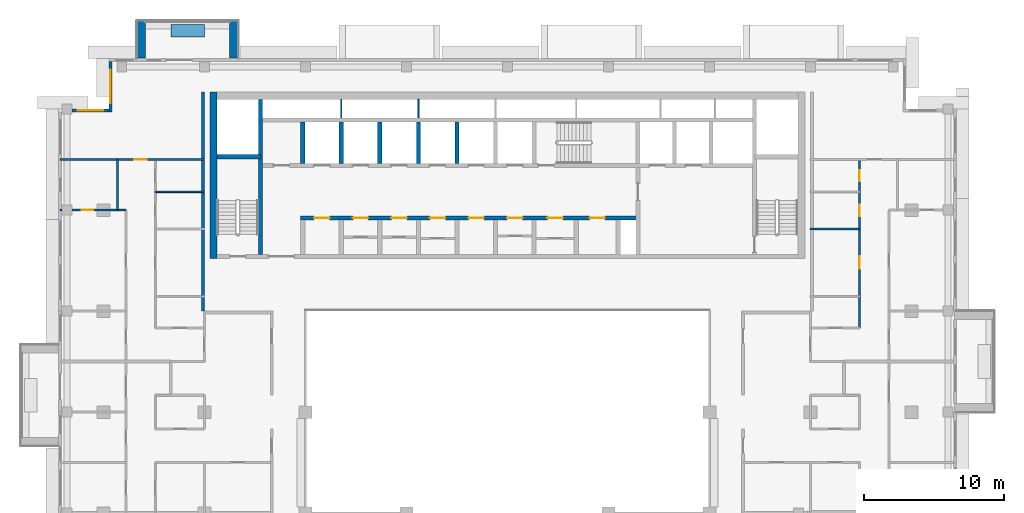
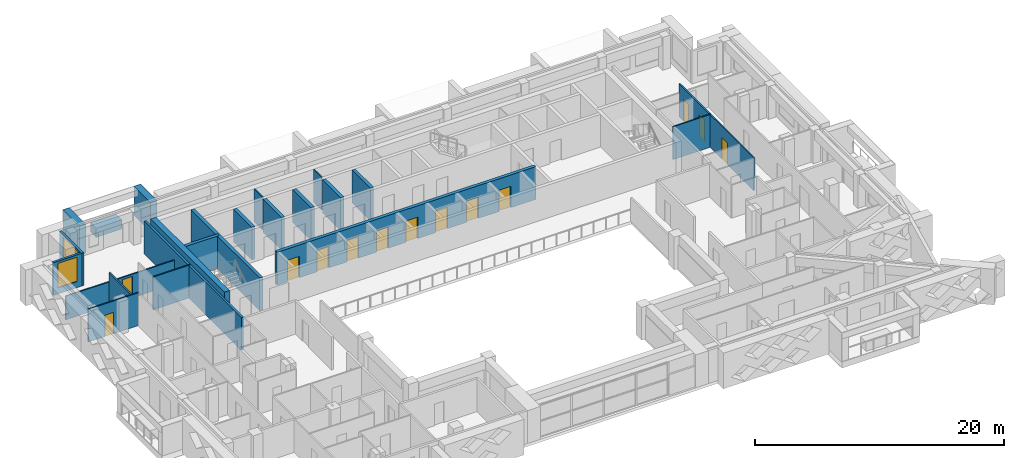
# One storey, part 10 of 19: 23 walls, 13 doors, 2 windows, 15 openings.
"""IFC4 building model written with IfcOpenShell, lengths in metres."""

from ifc_helpers import new_model, si_unit, direction, frame, frame_2d, origin, place, context, subcontext, project, spatial, rectangle, extrude, material, layer, layer_set, type_object, element, fill, save


model = new_model("IFC4")

# Units and contexts
model_context = context("Model", 3, precision=1e-05, world=origin(), true_north=direction((0.0, 1.0)))
body_context = subcontext(model_context, "Body", "Model", "MODEL_VIEW")
ifc_project = project(units=[si_unit("LENGTHUNIT", "METRE"), si_unit("AREAUNIT", "SQUARE_METRE"), si_unit("VOLUMEUNIT", "CUBIC_METRE"), si_unit("PLANEANGLEUNIT", "RADIAN"), si_unit("MASSUNIT", "GRAM", prefix="KILO")], contexts=[model_context])

# Site, building, storey
site_placement = place(None, origin())
site = spatial("IfcSite", under=ifc_project, at=site_placement, CompositionType="ELEMENT")
building_placement = place(site_placement, origin())
building = spatial("IfcBuilding", under=site, at=building_placement, Name="Saffron Iwan Residences", CompositionType="ELEMENT")
storey_placement = place(building_placement, frame((0.0, 0.0, 218.5)))
storey = spatial("IfcBuildingStorey", under=building, at=storey_placement, Name="L58", CompositionType="ELEMENT", Elevation=218.5)

# Walls
ifc_material_1 = material(Name="Concrete C50/60 white painted", Category="concrete")
ifc_layer_1 = layer(ifc_material_1, 0.60009765625)
ifc_layer_set_1 = layer_set([ifc_layer_1], Name="Concrete C50/60 white painted")
wall_type_1 = type_object("IfcWallType", Name="BALCONY FIN 600", PredefinedType="SOLIDWALL", material=ifc_layer_set_1)
for number, where, z_axis, x_axis, name in (
    (1, (30.89990234375, 80.449951171875, 0.0), (0.0, 0.0, 1.0), (0.0, 1.0, 0.0), "Balcony fin L58 F5-3a"),
    (2, (24.300048828125, 80.449951171875, 0.0), (0.0, 0.0, 1.0), (0.0, 1.0, 0.0), "Balcony fin L58 F5-3b"),
):
    element("IfcWall", number, at=place(storey_placement, frame(where, z_axis=z_axis, x_axis=x_axis)), inside=storey, type_object=wall_type_1, Name=name, PredefinedType="SOLIDWALL", context=body_context, shape_type="SweptSolid", body=[
        extrude(rectangle(XDim=2.650146484375, YDim=0.60009765625, at=frame_2d((1.3251953125, 0.0))), origin(), (0.0, 0.0, 1.0), 2.85009765625),
    ])
ifc_material_2 = material(Name="Concrete C35/45 white painted", Category="concrete")
ifc_layer_2 = layer(ifc_material_2, 0.14990234375)
ifc_layer_set_2 = layer_set([ifc_layer_2], Name="Concrete C35/45 white painted")
wall_type_2 = type_object("IfcWallType", Name="BALCONY PLANTER", PredefinedType="SOLIDWALL", material=ifc_layer_set_2)
wall_1_placement = place(storey_placement, frame((28.800048828125, 82.375, 0.0), z_axis=(0.0, 0.0, 1.0), x_axis=(-1.0, 0.0, 0.0)))
element("IfcWall", 3, at=wall_1_placement, inside=storey, type_object=wall_type_2, Name="PLANTER L58 F5-3", PredefinedType="SOLIDWALL", context=body_context, shape_type="SweptSolid", body=[
    extrude(rectangle(XDim=2.400146484375, YDim=0.89990234375, at=frame_2d((1.2001953125, 0.0))), origin(), (0.0, 0.0, 1.0), 0.89990234375),
])

# Wall, opening, window
ifc_material_3 = material(Name="Concrete C40/50", Category="concrete")
ifc_layer_3 = layer(ifc_material_3, 0.199951171875)
ifc_layer_set_3 = layer_set([ifc_layer_3], Name="Concrete C40/50")
wall_type_3 = type_object("IfcWallType", Name="EXTERNAL WALL 200", PredefinedType="SOLIDWALL", material=ifc_layer_set_3)
wall_2_placement = place(storey_placement, frame((22.10009765625, 80.199951171875, 0.0), z_axis=(0.0, 0.0, 1.0), x_axis=(0.0, -1.0, 0.0)))
wall_2 = element("IfcWall", 4, at=wall_2_placement, inside=storey, type_object=wall_type_3, Name="External wall L58 F6.0", PredefinedType="SOLIDWALL", context=body_context, shape_type="SweptSolid", body=[
    extrude(rectangle(XDim=3.599853515625, YDim=0.199951171875, at=frame_2d((1.7998046875, 0.0))), origin(), (0.0, 0.0, 1.0), 3.219970703125),
])
opening_1_placement = place(wall_2_placement, frame((0.60009765625, 0.0, 0.60009765625)))
opening_1 = element("IfcOpeningElement", 5, at=opening_1_placement, cuts=wall_2, Name="Opening W1", PredefinedType="OPENING", context=body_context, shape_type="SweptSolid", body=[
    extrude(rectangle(XDim=2.39990234375, YDim=2.39990234375, at=frame_2d((1.199951171875, 1.199951171875))), frame((0.0, 0.10986328125, 0.0), z_axis=(0.0, -1.0, 0.0), x_axis=(1.0, 0.0, 0.0)), (0.0, 0.0, 1.0), 0.219970703125),
])
ifc_material_4 = material(Name="Clear glass, laminated double glazed", Category="glass")
window_type_1 = type_object("IfcWindowType", Name="WINDOW 2400 x 2400", PartitioningType="DOUBLE_PANEL_VERTICAL", PredefinedType="WINDOW", material=ifc_material_4)
window_1_placement = place(opening_1_placement, origin())
window_1 = element("IfcWindow", 6, at=window_1_placement, inside=storey, type_object=window_type_1, Name="Window L58 F6.0", OverallHeight=2.39990234375, OverallWidth=2.39990234375, PartitioningType="DOUBLE_PANEL_VERTICAL", PredefinedType="WINDOW", context=body_context, shape_type="SweptSolid", body=[
    extrude(rectangle(XDim=2.39990234375, YDim=2.39990234375, at=frame_2d((1.199951171875, 1.199951171875))), frame((0.0, 0.030029296875, 0.0), z_axis=(0.0, -1.0, 0.0), x_axis=(1.0, 0.0, 0.0)), (0.0, 0.0, 1.0), 0.06005859375),
])
fill(opening_1, window_1)

wall_3_placement = place(storey_placement, frame((22.0, 76.699951171875, 0.0), z_axis=(0.0, 0.0, 1.0), x_axis=(-1.0, 0.0, 0.0)))
wall_3 = element("IfcWall", 7, at=wall_3_placement, inside=storey, type_object=wall_type_3, Name="External wall L58 F7.0", PredefinedType="SOLIDWALL", context=body_context, shape_type="SweptSolid", body=[
    extrude(rectangle(XDim=2.64990234375, YDim=0.199951171875, at=frame_2d((1.324951171875, 0.0))), origin(), (0.0, 0.0, 1.0), 3.219970703125),
])
opening_2_placement = place(wall_3_placement, frame((0.425048828125, 0.0, 0.60009765625)))
opening_2 = element("IfcOpeningElement", 8, at=opening_2_placement, cuts=wall_3, Name="Opening W8", PredefinedType="OPENING", context=body_context, shape_type="SweptSolid", body=[
    extrude(rectangle(XDim=1.800048828125, YDim=2.39990234375, at=frame_2d((0.89990234375, 1.199951171875))), frame((0.0, 0.10986328125, 0.0), z_axis=(0.0, -1.0, 0.0), x_axis=(1.0, 0.0, 0.0)), (0.0, 0.0, 1.0), 0.219970703125),
])
window_type_2 = type_object("IfcWindowType", Name="WINDOW 1800 x 2400", PartitioningType="DOUBLE_PANEL_VERTICAL", PredefinedType="WINDOW", material=ifc_material_4)
window_2_placement = place(opening_2_placement, origin())
window_2 = element("IfcWindow", 9, at=window_2_placement, inside=storey, type_object=window_type_2, Name="Window L58 F7.0", OverallHeight=2.39990234375, OverallWidth=1.800048828125, PartitioningType="DOUBLE_PANEL_VERTICAL", PredefinedType="WINDOW", context=body_context, shape_type="SweptSolid", body=[
    extrude(rectangle(XDim=1.800048828125, YDim=2.39990234375, at=frame_2d((0.89990234375, 1.199951171875))), frame((0.0, 0.030029296875, 0.0), z_axis=(0.0, -1.0, 0.0), x_axis=(1.0, 0.0, 0.0)), (0.0, 0.0, 1.0), 0.06005859375),
])
fill(opening_2, window_2)

# Wall
ifc_material_5 = material(Name="Gypsum board partition")
ifc_layer_4 = layer(ifc_material_5, 0.1201171875)
ifc_layer_set_4 = layer_set([ifc_layer_4], Name="Gypsum board partition")
wall_type_4 = type_object("IfcWallType", Name="Flat partition 120", PredefinedType="PARTITIONING", material=ifc_layer_set_4)
wall_4_placement = place(storey_placement, frame((72.0, 68.25, 0.0), z_axis=(0.0, 0.0, 1.0), x_axis=(1.0, 0.0, 0.0)))
element("IfcWall", 10, at=wall_4_placement, inside=storey, type_object=wall_type_4, Name="W-L58-PART-h68.25-72", PredefinedType="PARTITIONING", context=body_context, shape_type="SweptSolid", body=[
    extrude(rectangle(XDim=3.5, YDim=0.1201171875, at=frame_2d((1.75, 0.0))), origin(), (0.0, 0.0, 1.0), 3.219970703125),
])

# Wall, opening, door
wall_5_placement = place(storey_placement, frame((18.52490234375, 69.60009765625, 0.0), z_axis=(0.0, 0.0, 1.0), x_axis=(1.0, 0.0, 0.0)))
wall_5 = element("IfcWall", 11, at=wall_5_placement, inside=storey, type_object=wall_type_4, Name="W-L58-PART-h69.6-18.525", PredefinedType="PARTITIONING", context=body_context, shape_type="SweptSolid", body=[
    extrude(rectangle(XDim=4.675048828125, YDim=0.1201171875, at=frame_2d((2.33740234375, 0.0))), origin(), (0.0, 0.0, 1.0), 3.219970703125),
])
opening_3_placement = place(wall_5_placement, frame((1.53759765625, 0.0, 0.0)))
opening_3 = element("IfcOpeningElement", 12, at=opening_3_placement, cuts=wall_5, Name="Opening FD3", PredefinedType="OPENING", context=body_context, shape_type="SweptSolid", body=[
    extrude(rectangle(XDim=0.800048828125, YDim=2.10009765625, at=frame_2d((0.39990234375, 1.050048828125))), frame((0.0, 0.070068359375, 0.0), z_axis=(0.0, -1.0, 0.0), x_axis=(1.0, 0.0, 0.0)), (0.0, 0.0, 1.0), 0.14013671875),
])
ifc_material_6 = material(Name="Timber door", Category="wood")
door_type_1 = type_object("IfcDoorType", Name="Bathroom door 800", OperationType="NOTDEFINED", PredefinedType="DOOR", material=ifc_material_6)
door_1_placement = place(opening_3_placement, origin())
door_1 = element("IfcDoor", 13, at=door_1_placement, inside=storey, type_object=door_type_1, Name="Door L58-024", OperationType="SINGLE_SWING_LEFT", OverallHeight=2.10009765625, OverallWidth=0.800048828125, PredefinedType="DOOR", context=body_context, shape_type="SweptSolid", body=[
    extrude(rectangle(XDim=0.800048828125, YDim=2.10009765625, at=frame_2d((0.39990234375, 1.050048828125))), frame((0.0, 0.02490234375, 0.0), z_axis=(0.0, -1.0, 0.0), x_axis=(1.0, 0.0, 0.0)), (0.0, 0.0, 1.0), 0.050048828125),
])
fill(opening_3, door_1)

# Wall
wall_6_placement = place(storey_placement, frame((25.300048828125, 70.89990234375, 0.0), z_axis=(0.0, 0.0, 1.0), x_axis=(1.0, 0.0, 0.0)))
element("IfcWall", 14, at=wall_6_placement, inside=storey, type_object=wall_type_4, Name="W-L58-PART-h70.9-25.3", PredefinedType="PARTITIONING", context=body_context, shape_type="SweptSolid", body=[
    extrude(rectangle(XDim=3.5, YDim=0.1201171875, at=frame_2d((1.75, 0.0))), origin(), (0.0, 0.0, 1.0), 3.219970703125),
])

# Wall, opening, door
wall_7_placement = place(storey_placement, frame((18.52490234375, 73.199951171875, 0.0), z_axis=(0.0, 0.0, 1.0), x_axis=(1.0, 0.0, 0.0)))
wall_7 = element("IfcWall", 15, at=wall_7_placement, inside=storey, type_object=wall_type_4, Name="W-L58-PART-h73.2-18.525", PredefinedType="PARTITIONING", context=body_context, shape_type="SweptSolid", body=[
    extrude(rectangle(XDim=10.275146484375, YDim=0.1201171875, at=frame_2d((5.1376953125, 0.0))), origin(), (0.0, 0.0, 1.0), 2.320068359375),
])
opening_4_placement = place(wall_7_placement, frame((5.27490234375, 0.0, 0.0)))
opening_4 = element("IfcOpeningElement", 16, at=opening_4_placement, cuts=wall_7, Name="Opening FD2", PredefinedType="OPENING", context=body_context, shape_type="SweptSolid", body=[
    extrude(rectangle(XDim=0.89990234375, YDim=2.10009765625, at=frame_2d((0.449951171875, 1.050048828125))), frame((0.0, 0.070068359375, 0.0), z_axis=(0.0, -1.0, 0.0), x_axis=(1.0, 0.0, 0.0)), (0.0, 0.0, 1.0), 0.14013671875),
])
door_type_2 = type_object("IfcDoorType", Name="Flat door 900", OperationType="NOTDEFINED", PredefinedType="DOOR", material=ifc_material_6)
door_2_placement = place(opening_4_placement, origin())
door_2 = element("IfcDoor", 17, at=door_2_placement, inside=storey, type_object=door_type_2, Name="Door L58-025", OperationType="SINGLE_SWING_LEFT", OverallHeight=2.10009765625, OverallWidth=0.89990234375, PredefinedType="DOOR", context=body_context, shape_type="SweptSolid", body=[
    extrude(rectangle(XDim=0.89990234375, YDim=2.10009765625, at=frame_2d((0.449951171875, 1.050048828125))), frame((0.0, 0.02490234375, 0.0), z_axis=(0.0, -1.0, 0.0), x_axis=(1.0, 0.0, 0.0)), (0.0, 0.0, 1.0), 0.050048828125),
])
fill(opening_4, door_2)

# Wall
wall_8_placement = place(storey_placement, frame((22.60009765625, 69.60009765625, 0.0), z_axis=(0.0, 0.0, 1.0), x_axis=(0.0, 1.0, 0.0)))
element("IfcWall", 18, at=wall_8_placement, inside=storey, type_object=wall_type_4, Name="W-L58-PART-v22.6-69.6", PredefinedType="PARTITIONING", context=body_context, shape_type="SweptSolid", body=[
    extrude(rectangle(XDim=3.599853515625, YDim=0.1201171875, at=frame_2d((1.7998046875, 0.0))), origin(), (0.0, 0.0, 1.0), 3.219970703125),
])

# Wall, openings, doors
wall_9_placement = place(storey_placement, frame((75.5, 61.199951171875, 0.0), z_axis=(0.0, 0.0, 1.0), x_axis=(0.0, 1.0, 0.0)))
wall_9 = element("IfcWall", 19, at=wall_9_placement, inside=storey, type_object=wall_type_4, Name="W-L58-PART-v75.5-61.2", PredefinedType="PARTITIONING", context=body_context, shape_type="SweptSolid", body=[
    extrude(rectangle(XDim=12.0, YDim=0.1201171875, at=frame_2d((6.0, 0.0))), origin(), (0.0, 0.0, 1.0), 3.219970703125),
])
opening_5_placement = place(wall_9_placement, frame((4.199951171875, 0.0, 0.0)))
opening_5 = element("IfcOpeningElement", 20, at=opening_5_placement, cuts=wall_9, Name="Opening FD2", PredefinedType="OPENING", context=body_context, shape_type="SweptSolid", body=[
    extrude(rectangle(XDim=0.89990234375, YDim=2.10009765625, at=frame_2d((0.449951171875, 1.050048828125))), frame((0.0, 0.070068359375, 0.0), z_axis=(0.0, -1.0, 0.0), x_axis=(1.0, 0.0, 0.0)), (0.0, 0.0, 1.0), 0.14013671875),
])
opening_6_placement = place(wall_9_placement, frame((7.97509765625, 0.0, 0.0)))
opening_6 = element("IfcOpeningElement", 21, at=opening_6_placement, cuts=wall_9, Name="Opening FD3", PredefinedType="OPENING", context=body_context, shape_type="SweptSolid", body=[
    extrude(rectangle(XDim=0.800048828125, YDim=2.10009765625, at=frame_2d((0.39990234375, 1.050048828125))), frame((0.0, 0.070068359375, 0.0), z_axis=(0.0, -1.0, 0.0), x_axis=(1.0, 0.0, 0.0)), (0.0, 0.0, 1.0), 0.14013671875),
])
opening_7_placement = place(wall_9_placement, frame((10.449951171875, 0.0, 0.0)))
opening_7 = element("IfcOpeningElement", 22, at=opening_7_placement, cuts=wall_9, Name="Opening FD3", PredefinedType="OPENING", context=body_context, shape_type="SweptSolid", body=[
    extrude(rectangle(XDim=0.800048828125, YDim=2.10009765625, at=frame_2d((0.39990234375, 1.050048828125))), frame((0.0, 0.070068359375, 0.0), z_axis=(0.0, -1.0, 0.0), x_axis=(1.0, 0.0, 0.0)), (0.0, 0.0, 1.0), 0.14013671875),
])
door_3_placement = place(opening_6_placement, origin())
door_3 = element("IfcDoor", 23, at=door_3_placement, inside=storey, type_object=door_type_1, Name="Door L58-038", OperationType="SINGLE_SWING_LEFT", OverallHeight=2.10009765625, OverallWidth=0.800048828125, PredefinedType="DOOR", context=body_context, shape_type="SweptSolid", body=[
    extrude(rectangle(XDim=0.800048828125, YDim=2.10009765625, at=frame_2d((0.39990234375, 1.050048828125))), frame((0.0, 0.02490234375, 0.0), z_axis=(0.0, -1.0, 0.0), x_axis=(1.0, 0.0, 0.0)), (0.0, 0.0, 1.0), 0.050048828125),
])
fill(opening_6, door_3)
door_4_placement = place(opening_7_placement, origin())
door_4 = element("IfcDoor", 24, at=door_4_placement, inside=storey, type_object=door_type_1, Name="Door L58-039", OperationType="SINGLE_SWING_RIGHT", OverallHeight=2.10009765625, OverallWidth=0.800048828125, PredefinedType="DOOR", context=body_context, shape_type="SweptSolid", body=[
    extrude(rectangle(XDim=0.800048828125, YDim=2.10009765625, at=frame_2d((0.39990234375, 1.050048828125))), frame((0.0, 0.02490234375, 0.0), z_axis=(0.0, -1.0, 0.0), x_axis=(1.0, 0.0, 0.0)), (0.0, 0.0, 1.0), 0.050048828125),
])
fill(opening_7, door_4)
door_5_placement = place(opening_5_placement, origin())
door_5 = element("IfcDoor", 25, at=door_5_placement, inside=storey, type_object=door_type_2, Name="Door L58-037", OperationType="SINGLE_SWING_LEFT", OverallHeight=2.10009765625, OverallWidth=0.89990234375, PredefinedType="DOOR", context=body_context, shape_type="SweptSolid", body=[
    extrude(rectangle(XDim=0.89990234375, YDim=2.10009765625, at=frame_2d((0.449951171875, 1.050048828125))), frame((0.0, 0.02490234375, 0.0), z_axis=(0.0, -1.0, 0.0), x_axis=(1.0, 0.0, 0.0)), (0.0, 0.0, 1.0), 0.050048828125),
])
fill(opening_5, door_5)

# Walls
ifc_material_7 = material(Name="Fire-rated gypsum board wall")
ifc_layer_5 = layer(ifc_material_7, 0.199951171875)
ifc_layer_set_5 = layer_set([ifc_layer_5], Name="Fire-rated gypsum board wall")
wall_type_5 = type_object("IfcWallType", Name="Gallery wall 200", PredefinedType="SOLIDWALL", material=ifc_layer_set_5)
wall_10_placement = place(storey_placement, frame((28.699951171875, 62.39990234375, 0.0), z_axis=(0.0, 0.0, 1.0), x_axis=(0.0, 1.0, 0.0)))
element("IfcWall", 26, at=wall_10_placement, inside=storey, type_object=wall_type_5, Name="W-L58-CORR-v28.8-62.4", PredefinedType="SOLIDWALL", context=body_context, shape_type="SweptSolid", body=[
    extrude(rectangle(XDim=15.60009765625, YDim=0.199951171875, at=frame_2d((7.800048828125, 0.0))), origin(), (0.0, 0.0, 1.0), 3.219970703125),
])
ifc_material_8 = material(Name="Fire-rated plasterboard partition")
ifc_layer_6 = layer(ifc_material_8, 0.10009765625)
ifc_layer_set_6 = layer_set([ifc_layer_6], Name="Fire-rated plasterboard partition")
wall_type_6 = type_object("IfcWallType", Name="Riser partition 100", PredefinedType="PARTITIONING", material=ifc_layer_set_6)
for number, where, z_axis, x_axis, name in (
    (27, (38.550048828125, 76.175048828125, 0.0), (0.0, 0.0, 1.0), (0.0, 1.0, 0.0), "Core partition P06"),
    (28, (44.050048828125, 76.175048828125, 0.0), (0.0, 0.0, 1.0), (0.0, 1.0, 0.0), "Core partition P07"),
):
    element("IfcWall", number, at=place(storey_placement, frame(where, z_axis=z_axis, x_axis=x_axis)), inside=storey, type_object=wall_type_6, Name=name, PredefinedType="PARTITIONING", context=body_context, shape_type="SweptSolid", body=[
        extrude(rectangle(XDim=1.324951171875, YDim=0.10009765625, at=frame_2d((0.66259765625, 0.0))), origin(), (0.0, 0.0, 1.0), 3.219970703125),
    ])

# Wall, openings, doors
ifc_layer_7 = layer(ifc_material_3, 0.300048828125)
ifc_layer_set_7 = layer_set([ifc_layer_7], Name="Concrete C40/50")
wall_type_7 = type_object("IfcWallType", Name="WALL CORE 300 C40/50 3220 HIGH", PredefinedType="SHEAR", material=ifc_layer_set_7)
wall_11_placement = place(storey_placement, frame((35.64990234375, 69.02490234375, 0.0), z_axis=(0.0, 0.0, 1.0), x_axis=(1.0, 0.0, 0.0)))
wall_11 = element("IfcWall", 29, at=wall_11_placement, inside=storey, type_object=wall_type_7, Name="Core wall", PredefinedType="SHEAR", context=body_context, shape_type="SweptSolid", body=[
    extrude(rectangle(XDim=24.050048828125, YDim=0.300048828125, at=frame_2d((12.02490234375, 0.0))), origin(), (0.0, 0.0, 1.0), 3.219970703125),
])
opening_8_placement = place(wall_11_placement, frame((0.97509765625, 0.0, 0.0)))
opening_8 = element("IfcOpeningElement", 30, at=opening_8_placement, cuts=wall_11, Name="Opening SR", PredefinedType="OPENING", context=body_context, shape_type="SweptSolid", body=[
    extrude(rectangle(XDim=1.10009765625, YDim=2.10009765625, at=frame_2d((0.550048828125, 1.050048828125))), frame((0.0, 0.16015625, 0.0), z_axis=(0.0, -1.0, 0.0), x_axis=(1.0, 0.0, 0.0)), (0.0, 0.0, 1.0), 0.320068359375),
])
opening_9_placement = place(wall_11_placement, frame((3.72509765625, 0.0, 0.0)))
opening_9 = element("IfcOpeningElement", 31, at=opening_9_placement, cuts=wall_11, Name="Opening SR", PredefinedType="OPENING", context=body_context, shape_type="SweptSolid", body=[
    extrude(rectangle(XDim=1.10009765625, YDim=2.10009765625, at=frame_2d((0.550048828125, 1.050048828125))), frame((0.0, 0.16015625, 0.0), z_axis=(0.0, -1.0, 0.0), x_axis=(1.0, 0.0, 0.0)), (0.0, 0.0, 1.0), 0.320068359375),
])
opening_10_placement = place(wall_11_placement, frame((6.47509765625, 0.0, 0.0)))
opening_10 = element("IfcOpeningElement", 32, at=opening_10_placement, cuts=wall_11, Name="Opening SR", PredefinedType="OPENING", context=body_context, shape_type="SweptSolid", body=[
    extrude(rectangle(XDim=1.10009765625, YDim=2.10009765625, at=frame_2d((0.550048828125, 1.050048828125))), frame((0.0, 0.16015625, 0.0), z_axis=(0.0, -1.0, 0.0), x_axis=(1.0, 0.0, 0.0)), (0.0, 0.0, 1.0), 0.320068359375),
])
opening_11_placement = place(wall_11_placement, frame((9.22509765625, 0.0, 0.0)))
opening_11 = element("IfcOpeningElement", 33, at=opening_11_placement, cuts=wall_11, Name="Opening SR", PredefinedType="OPENING", context=body_context, shape_type="SweptSolid", body=[
    extrude(rectangle(XDim=1.10009765625, YDim=2.10009765625, at=frame_2d((0.550048828125, 1.050048828125))), frame((0.0, 0.16015625, 0.0), z_axis=(0.0, -1.0, 0.0), x_axis=(1.0, 0.0, 0.0)), (0.0, 0.0, 1.0), 0.320068359375),
])
opening_12_placement = place(wall_11_placement, frame((11.97509765625, 0.0, 0.0)))
opening_12 = element("IfcOpeningElement", 34, at=opening_12_placement, cuts=wall_11, Name="Opening SR", PredefinedType="OPENING", context=body_context, shape_type="SweptSolid", body=[
    extrude(rectangle(XDim=1.10009765625, YDim=2.10009765625, at=frame_2d((0.550048828125, 1.050048828125))), frame((0.0, 0.16015625, 0.0), z_axis=(0.0, -1.0, 0.0), x_axis=(1.0, 0.0, 0.0)), (0.0, 0.0, 1.0), 0.320068359375),
])
opening_13_placement = place(wall_11_placement, frame((14.72509765625, 0.0, 0.0)))
opening_13 = element("IfcOpeningElement", 35, at=opening_13_placement, cuts=wall_11, Name="Opening SR", PredefinedType="OPENING", context=body_context, shape_type="SweptSolid", body=[
    extrude(rectangle(XDim=1.10009765625, YDim=2.10009765625, at=frame_2d((0.550048828125, 1.050048828125))), frame((0.0, 0.16015625, 0.0), z_axis=(0.0, -1.0, 0.0), x_axis=(1.0, 0.0, 0.0)), (0.0, 0.0, 1.0), 0.320068359375),
])
opening_14_placement = place(wall_11_placement, frame((17.60009765625, 0.0, 0.0)))
opening_14 = element("IfcOpeningElement", 36, at=opening_14_placement, cuts=wall_11, Name="Opening SR", PredefinedType="OPENING", context=body_context, shape_type="SweptSolid", body=[
    extrude(rectangle(XDim=1.10009765625, YDim=2.10009765625, at=frame_2d((0.550048828125, 1.050048828125))), frame((0.0, 0.16015625, 0.0), z_axis=(0.0, -1.0, 0.0), x_axis=(1.0, 0.0, 0.0)), (0.0, 0.0, 1.0), 0.320068359375),
])
opening_15_placement = place(wall_11_placement, frame((20.60009765625, 0.0, 0.0)))
opening_15 = element("IfcOpeningElement", 37, at=opening_15_placement, cuts=wall_11, Name="Opening SR", PredefinedType="OPENING", context=body_context, shape_type="SweptSolid", body=[
    extrude(rectangle(XDim=1.10009765625, YDim=2.10009765625, at=frame_2d((0.550048828125, 1.050048828125))), frame((0.0, 0.16015625, 0.0), z_axis=(0.0, -1.0, 0.0), x_axis=(1.0, 0.0, 0.0)), (0.0, 0.0, 1.0), 0.320068359375),
])
ifc_material_9 = material(Name="Steel fire door", Category="steel")
door_type_3 = type_object("IfcDoorType", Name="Service door 1100", OperationType="NOTDEFINED", PredefinedType="DOOR", material=ifc_material_9)
door_6_placement = place(opening_8_placement, origin())
door_6 = element("IfcDoor", 38, at=door_6_placement, inside=storey, type_object=door_type_3, Name="Door Communications room", OperationType="SINGLE_SWING_RIGHT", OverallHeight=2.10009765625, OverallWidth=1.10009765625, PredefinedType="DOOR", context=body_context, shape_type="SweptSolid", body=[
    extrude(rectangle(XDim=1.10009765625, YDim=2.10009765625, at=frame_2d((0.550048828125, 1.050048828125))), frame((0.0, 0.02490234375, 0.0), z_axis=(0.0, -1.0, 0.0), x_axis=(1.0, 0.0, 0.0)), (0.0, 0.0, 1.0), 0.050048828125),
])
fill(opening_8, door_6)
door_7_placement = place(opening_9_placement, origin())
door_7 = element("IfcDoor", 39, at=door_7_placement, inside=storey, type_object=door_type_3, Name="Door Switch room", OperationType="SINGLE_SWING_LEFT", OverallHeight=2.10009765625, OverallWidth=1.10009765625, PredefinedType="DOOR", context=body_context, shape_type="SweptSolid", body=[
    extrude(rectangle(XDim=1.10009765625, YDim=2.10009765625, at=frame_2d((0.550048828125, 1.050048828125))), frame((0.0, 0.02490234375, 0.0), z_axis=(0.0, -1.0, 0.0), x_axis=(1.0, 0.0, 0.0)), (0.0, 0.0, 1.0), 0.050048828125),
])
fill(opening_9, door_7)
door_8_placement = place(opening_10_placement, origin())
door_8 = element("IfcDoor", 40, at=door_8_placement, inside=storey, type_object=door_type_3, Name="Door Furniture store", OperationType="SINGLE_SWING_RIGHT", OverallHeight=2.10009765625, OverallWidth=1.10009765625, PredefinedType="DOOR", context=body_context, shape_type="SweptSolid", body=[
    extrude(rectangle(XDim=1.10009765625, YDim=2.10009765625, at=frame_2d((0.550048828125, 1.050048828125))), frame((0.0, 0.02490234375, 0.0), z_axis=(0.0, -1.0, 0.0), x_axis=(1.0, 0.0, 0.0)), (0.0, 0.0, 1.0), 0.050048828125),
])
fill(opening_10, door_8)
door_9_placement = place(opening_11_placement, origin())
door_9 = element("IfcDoor", 41, at=door_9_placement, inside=storey, type_object=door_type_3, Name="Door Housekeeping store", OperationType="SINGLE_SWING_LEFT", OverallHeight=2.10009765625, OverallWidth=1.10009765625, PredefinedType="DOOR", context=body_context, shape_type="SweptSolid", body=[
    extrude(rectangle(XDim=1.10009765625, YDim=2.10009765625, at=frame_2d((0.550048828125, 1.050048828125))), frame((0.0, 0.02490234375, 0.0), z_axis=(0.0, -1.0, 0.0), x_axis=(1.0, 0.0, 0.0)), (0.0, 0.0, 1.0), 0.050048828125),
])
fill(opening_11, door_9)
door_10_placement = place(opening_12_placement, origin())
door_10 = element("IfcDoor", 42, at=door_10_placement, inside=storey, type_object=door_type_3, Name="Door Cleaner's store", OperationType="SINGLE_SWING_RIGHT", OverallHeight=2.10009765625, OverallWidth=1.10009765625, PredefinedType="DOOR", context=body_context, shape_type="SweptSolid", body=[
    extrude(rectangle(XDim=1.10009765625, YDim=2.10009765625, at=frame_2d((0.550048828125, 1.050048828125))), frame((0.0, 0.02490234375, 0.0), z_axis=(0.0, -1.0, 0.0), x_axis=(1.0, 0.0, 0.0)), (0.0, 0.0, 1.0), 0.050048828125),
])
fill(opening_12, door_10)
door_11_placement = place(opening_13_placement, origin())
door_11 = element("IfcDoor", 43, at=door_11_placement, inside=storey, type_object=door_type_3, Name="Door Trolley store", OperationType="SINGLE_SWING_LEFT", OverallHeight=2.10009765625, OverallWidth=1.10009765625, PredefinedType="DOOR", context=body_context, shape_type="SweptSolid", body=[
    extrude(rectangle(XDim=1.10009765625, YDim=2.10009765625, at=frame_2d((0.550048828125, 1.050048828125))), frame((0.0, 0.02490234375, 0.0), z_axis=(0.0, -1.0, 0.0), x_axis=(1.0, 0.0, 0.0)), (0.0, 0.0, 1.0), 0.050048828125),
])
fill(opening_13, door_11)
door_12_placement = place(opening_14_placement, origin())
door_12 = element("IfcDoor", 44, at=door_12_placement, inside=storey, type_object=door_type_3, Name="Door Luggage store", OperationType="SINGLE_SWING_RIGHT", OverallHeight=2.10009765625, OverallWidth=1.10009765625, PredefinedType="DOOR", context=body_context, shape_type="SweptSolid", body=[
    extrude(rectangle(XDim=1.10009765625, YDim=2.10009765625, at=frame_2d((0.550048828125, 1.050048828125))), frame((0.0, 0.02490234375, 0.0), z_axis=(0.0, -1.0, 0.0), x_axis=(1.0, 0.0, 0.0)), (0.0, 0.0, 1.0), 0.050048828125),
])
fill(opening_14, door_12)
door_13_placement = place(opening_15_placement, origin())
door_13 = element("IfcDoor", 45, at=door_13_placement, inside=storey, type_object=door_type_3, Name="Door Refuse store", OperationType="SINGLE_SWING_RIGHT", OverallHeight=2.10009765625, OverallWidth=1.10009765625, PredefinedType="DOOR", context=body_context, shape_type="SweptSolid", body=[
    extrude(rectangle(XDim=1.10009765625, YDim=2.10009765625, at=frame_2d((0.550048828125, 1.050048828125))), frame((0.0, 0.02490234375, 0.0), z_axis=(0.0, -1.0, 0.0), x_axis=(1.0, 0.0, 0.0)), (0.0, 0.0, 1.0), 0.050048828125),
])
fill(opening_15, door_13)

# Walls
wall_12_placement = place(storey_placement, frame((29.699951171875, 73.39990234375, 0.0), z_axis=(0.0, 0.0, 1.0), x_axis=(1.0, 0.0, 0.0)))
element("IfcWall", 46, at=wall_12_placement, inside=storey, type_object=wall_type_7, Name="Core wall", PredefinedType="SHEAR", context=body_context, shape_type="SweptSolid", body=[
    extrude(rectangle(XDim=3.10009765625, YDim=0.300048828125, at=frame_2d((1.550048828125, 0.0))), origin(), (0.0, 0.0, 1.0), 3.219970703125),
])
wall_13_placement = place(storey_placement, frame((32.800048828125, 66.449951171875, 0.0), z_axis=(0.0, 0.0, 1.0), x_axis=(0.0, 1.0, 0.0)))
element("IfcWall", 47, at=wall_13_placement, inside=storey, type_object=wall_type_7, Name="Core wall", PredefinedType="SHEAR", context=body_context, shape_type="SweptSolid", body=[
    extrude(rectangle(XDim=11.050048828125, YDim=0.300048828125, at=frame_2d((5.52490234375, 0.0))), origin(), (0.0, 0.0, 1.0), 3.219970703125),
])
for number, where, z_axis, x_axis, name in (
    (48, (35.800048828125, 72.925048828125, 0.0), (0.0, 0.0, 1.0), (0.0, 1.0, 0.0), "Core wall"),
    (49, (38.550048828125, 72.925048828125, 0.0), (0.0, 0.0, 1.0), (0.0, 1.0, 0.0), "Core wall"),
    (50, (41.300048828125, 72.925048828125, 0.0), (0.0, 0.0, 1.0), (0.0, 1.0, 0.0), "Core wall"),
    (51, (44.050048828125, 72.925048828125, 0.0), (0.0, 0.0, 1.0), (0.0, 1.0, 0.0), "Core wall"),
    (52, (46.800048828125, 72.925048828125, 0.0), (0.0, 0.0, 1.0), (0.0, 1.0, 0.0), "Core wall"),
):
    element("IfcWall", number, at=place(storey_placement, frame(where, z_axis=z_axis, x_axis=x_axis)), inside=storey, type_object=wall_type_7, Name=name, PredefinedType="SHEAR", context=body_context, shape_type="SweptSolid", body=[
        extrude(rectangle(XDim=2.949951171875, YDim=0.300048828125, at=frame_2d((1.47509765625, 0.0))), origin(), (0.0, 0.0, 1.0), 3.219970703125),
    ])
ifc_layer_8 = layer(ifc_material_3, 0.5)
ifc_layer_set_8 = layer_set([ifc_layer_8], Name="Concrete C40/50")
wall_type_8 = type_object("IfcWallType", Name="WALL CORE 500 C40/50 3220 HIGH", PredefinedType="SHEAR", material=ifc_layer_set_8)
wall_14_placement = place(storey_placement, frame((29.449951171875, 66.14990234375, 0.0), z_axis=(0.0, 0.0, 1.0), x_axis=(0.0, 1.0, 0.0)))
element("IfcWall", 53, at=wall_14_placement, inside=storey, type_object=wall_type_8, Name="Core wall", PredefinedType="SHEAR", context=body_context, shape_type="SweptSolid", body=[
    extrude(rectangle(XDim=11.85009765625, YDim=0.5, at=frame_2d((5.925048828125, 0.0))), origin(), (0.0, 0.0, 1.0), 3.219970703125),
])

save(model, "model.ifc")
